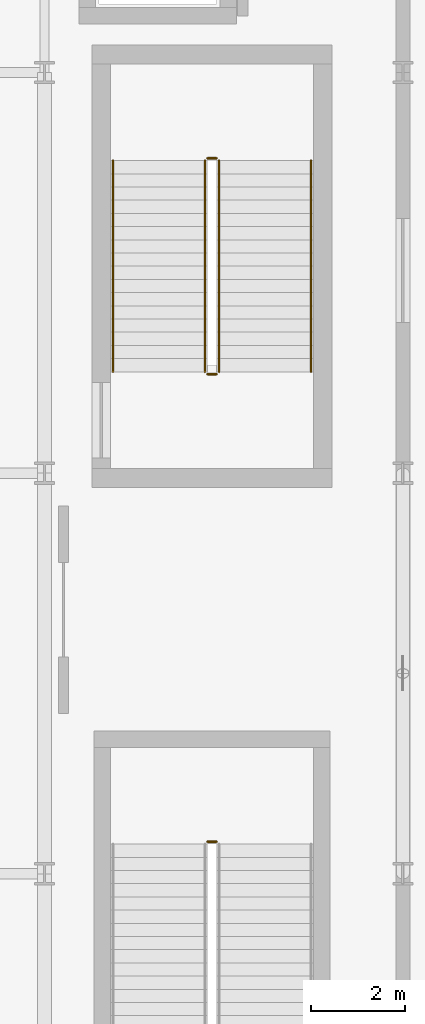
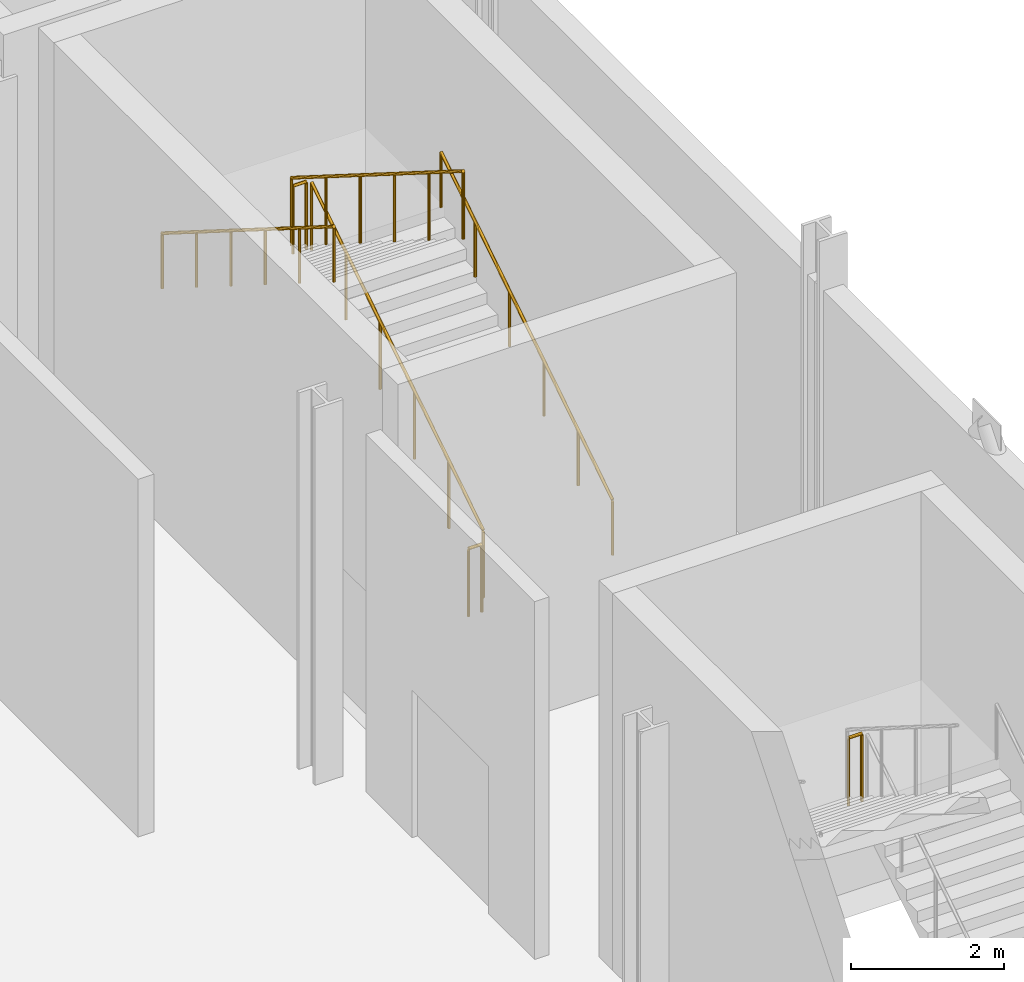
# One storey, part 84 of 84: 7 railings.
"""IFC4 building model written with IfcOpenShell, lengths in metres."""

from ifc_helpers import new_model, si_unit, direction, frame, origin, origin_2d, place, context, subcontext, project, spatial, circle, extrude, material, type_object, element, save


model = new_model("IFC4")

# Units and contexts
model_context = context("Model", 3, precision=1e-05, world=origin(), true_north=direction((0.0, 1.0)))
body_context = subcontext(model_context, "Body", "Model", "MODEL_VIEW")
ifc_project = project(units=[si_unit("LENGTHUNIT", "METRE"), si_unit("AREAUNIT", "SQUARE_METRE"), si_unit("VOLUMEUNIT", "CUBIC_METRE"), si_unit("PLANEANGLEUNIT", "RADIAN"), si_unit("MASSUNIT", "GRAM", prefix="KILO")], contexts=[model_context])

# Site, building, storey
site_placement = place(None, origin())
site = spatial("IfcSite", under=ifc_project, at=site_placement, CompositionType="ELEMENT")
building_placement = place(site_placement, origin())
building = spatial("IfcBuilding", under=site, at=building_placement, Name="Sefraquen Railside Congress Hotel", CompositionType="ELEMENT")
storey_placement = place(building_placement, origin())
storey = spatial("IfcBuildingStorey", under=building, at=storey_placement, Name="L00", CompositionType="ELEMENT", Elevation=0.0)

# Railings
ifc_material = material(Name="Patinated wrought architectural bronze", Category="metal")
railing_type_1 = type_object("IfcRailingType", Name="TRL-BAL-110", PredefinedType="BALUSTRADE", material=ifc_material)
railing_1_placement = place(storey_placement, frame((168.10009765625, 81.64990234375, 0.176513671875)))
element("IfcRailing", 1, at=railing_1_placement, inside=storey, type_object=railing_type_1, Name="L00 ST-B01 stair guard 1", PredefinedType="BALUSTRADE", context=body_context, shape_type="SweptSolid", body=[
    extrude(circle(Radius=0.02392578125, at=origin_2d()), frame((0.0, 0.0, 1.076171875), z_axis=(0.0, 0.845997938375, 0.533186166611), x_axis=(-1.0, 0.0, 0.0)), (0.0, 0.0, 1.0), 5.29541015625),
    extrude(circle(Radius=0.02099609375, at=origin_2d()), origin(), (0.0, 0.0, 1.0), 1.052001953125),
    extrude(circle(Radius=0.02099609375, at=origin_2d()), frame((0.0, 0.89599609375, 0.564697265625)), (0.0, 0.0, 1.0), 1.052001953125),
    extrude(circle(Radius=0.02099609375, at=origin_2d()), frame((0.0, 1.7919921875, 1.12939453125)), (0.0, 0.0, 1.0), 1.052001953125),
    extrude(circle(Radius=0.02099609375, at=origin_2d()), frame((0.0, 2.68798828125, 1.694091796875)), (0.0, 0.0, 1.0), 1.052001953125),
    extrude(circle(Radius=0.02099609375, at=origin_2d()), frame((0.0, 3.583984375, 2.2587890625)), (0.0, 0.0, 1.0), 1.052001953125),
    extrude(circle(Radius=0.02099609375, at=origin_2d()), frame((0.0, 4.47998046875, 2.823486328125)), (0.0, 0.0, 1.0), 1.052001953125),
])
railing_2_placement = place(storey_placement, frame((168.050048828125, 86.179931640625, 3.0)))
element("IfcRailing", 2, at=railing_2_placement, inside=storey, type_object=railing_type_1, Name="L00 ST-B01 stair guard 2", PredefinedType="BALUSTRADE", context=body_context, shape_type="SweptSolid", body=[
    extrude(circle(Radius=0.02392578125, at=origin_2d()), frame((0.0, 0.0, 1.076171875), z_axis=(-1.0, 0.0, 0.0), x_axis=(0.0, -1.0, 0.0)), (0.0, 0.0, 1.0), 0.199951171875),
    extrude(circle(Radius=0.02099609375, at=origin_2d()), origin(), (0.0, 0.0, 1.0), 1.052001953125),
    extrude(circle(Radius=0.02099609375, at=origin_2d()), frame((-0.199951171875, 0.0, 0.0)), (0.0, 0.0, 1.0), 1.052001953125),
])
railing_3_placement = place(storey_placement, frame((167.800048828125, 86.1298828125, 3.176513671875)))
element("IfcRailing", 3, at=railing_3_placement, inside=storey, type_object=railing_type_1, Name="L00 ST-B01 stair guard 3", PredefinedType="BALUSTRADE", context=body_context, shape_type="SweptSolid", body=[
    extrude(circle(Radius=0.02392578125, at=origin_2d()), frame((0.0, 0.0, 1.076171875), z_axis=(0.0, -0.845997938375, 0.533186166611), x_axis=(1.0, 0.0, 0.0)), (0.0, 0.0, 1.0), 5.29541015625),
    extrude(circle(Radius=0.02099609375, at=origin_2d()), origin(), (0.0, 0.0, 1.0), 1.052001953125),
    extrude(circle(Radius=0.02099609375, at=origin_2d()), frame((0.0, -0.89599609375, 0.564697265625)), (0.0, 0.0, 1.0), 1.052001953125),
    extrude(circle(Radius=0.02099609375, at=origin_2d()), frame((0.0, -1.7919921875, 1.12939453125)), (0.0, 0.0, 1.0), 1.052001953125),
    extrude(circle(Radius=0.02099609375, at=origin_2d()), frame((0.0, -2.68798828125, 1.694091796875)), (0.0, 0.0, 1.0), 1.052001953125),
    extrude(circle(Radius=0.02099609375, at=origin_2d()), frame((0.0, -3.583984375, 2.2587890625)), (0.0, 0.0, 1.0), 1.052001953125),
    extrude(circle(Radius=0.02099609375, at=origin_2d()), frame((0.0, -4.47998046875, 2.823486328125)), (0.0, 0.0, 1.0), 1.052001953125),
])
for number, where, name in (
    (4, (168.050048828125, 81.60009765625, 0.0), "L00 ST-B01 stair guard 4"),
    (5, (168.050048828125, 71.679931640625, 3.0), "L00 ST-B02 stair guard 2"),
):
    element("IfcRailing", number, at=place(storey_placement, frame(where)), inside=storey, type_object=railing_type_1, Name=name, PredefinedType="BALUSTRADE", context=body_context, shape_type="SweptSolid", body=[
        extrude(circle(Radius=0.02392578125, at=origin_2d()), frame((0.0, 0.0, 1.076171875), z_axis=(-1.0, 0.0, 0.0), x_axis=(0.0, -1.0, 0.0)), (0.0, 0.0, 1.0), 0.199951171875),
        extrude(circle(Radius=0.02099609375, at=origin_2d()), origin(), (0.0, 0.0, 1.0), 1.052001953125),
        extrude(circle(Radius=0.02099609375, at=origin_2d()), frame((-0.199951171875, 0.0, 0.0)), (0.0, 0.0, 1.0), 1.052001953125),
    ])
railing_type_2 = type_object("IfcRailingType", Name="TRL-HR-090", PredefinedType="HANDRAIL", material=ifc_material)
railing_4_placement = place(storey_placement, frame((170.050048828125, 81.64990234375, 0.176513671875)))
element("IfcRailing", 6, at=railing_4_placement, inside=storey, type_object=railing_type_2, Name="L00 ST-B01 stair handrail 1", PredefinedType="HANDRAIL", context=body_context, shape_type="SweptSolid", body=[
    extrude(circle(Radius=0.02392578125, at=origin_2d()), frame((0.0, 0.0, 0.8759765625), z_axis=(0.0, 0.845997938375, 0.533186166611), x_axis=(-1.0, 0.0, 0.0)), (0.0, 0.0, 1.0), 5.29541015625),
    extrude(circle(Radius=0.02099609375, at=origin_2d()), origin(), (0.0, 0.0, 1.0), 0.851806640625),
    extrude(circle(Radius=0.02099609375, at=origin_2d()), frame((0.0, 0.89599609375, 0.564697265625)), (0.0, 0.0, 1.0), 0.851806640625),
    extrude(circle(Radius=0.02099609375, at=origin_2d()), frame((0.0, 1.7919921875, 1.12939453125)), (0.0, 0.0, 1.0), 0.851806640625),
    extrude(circle(Radius=0.02099609375, at=origin_2d()), frame((0.0, 2.68798828125, 1.694091796875)), (0.0, 0.0, 1.0), 0.851806640625),
    extrude(circle(Radius=0.02099609375, at=origin_2d()), frame((0.0, 3.583984375, 2.2587890625)), (0.0, 0.0, 1.0), 0.851806640625),
    extrude(circle(Radius=0.02099609375, at=origin_2d()), frame((0.0, 4.47998046875, 2.823486328125)), (0.0, 0.0, 1.0), 0.851806640625),
])
railing_5_placement = place(storey_placement, frame((165.85009765625, 86.1298828125, 3.176513671875)))
element("IfcRailing", 7, at=railing_5_placement, inside=storey, type_object=railing_type_2, Name="L00 ST-B01 stair handrail 2", PredefinedType="HANDRAIL", context=body_context, shape_type="SweptSolid", body=[
    extrude(circle(Radius=0.02392578125, at=origin_2d()), frame((0.0, 0.0, 0.8759765625), z_axis=(0.0, -0.845997938375, 0.533186166611), x_axis=(1.0, 0.0, 0.0)), (0.0, 0.0, 1.0), 5.29541015625),
    extrude(circle(Radius=0.02099609375, at=origin_2d()), origin(), (0.0, 0.0, 1.0), 0.851806640625),
    extrude(circle(Radius=0.02099609375, at=origin_2d()), frame((0.0, -0.89599609375, 0.564697265625)), (0.0, 0.0, 1.0), 0.851806640625),
    extrude(circle(Radius=0.02099609375, at=origin_2d()), frame((0.0, -1.7919921875, 1.12939453125)), (0.0, 0.0, 1.0), 0.851806640625),
    extrude(circle(Radius=0.02099609375, at=origin_2d()), frame((0.0, -2.68798828125, 1.694091796875)), (0.0, 0.0, 1.0), 0.851806640625),
    extrude(circle(Radius=0.02099609375, at=origin_2d()), frame((0.0, -3.583984375, 2.2587890625)), (0.0, 0.0, 1.0), 0.851806640625),
    extrude(circle(Radius=0.02099609375, at=origin_2d()), frame((0.0, -4.47998046875, 2.823486328125)), (0.0, 0.0, 1.0), 0.851806640625),
])

save(model, "model.ifc")
